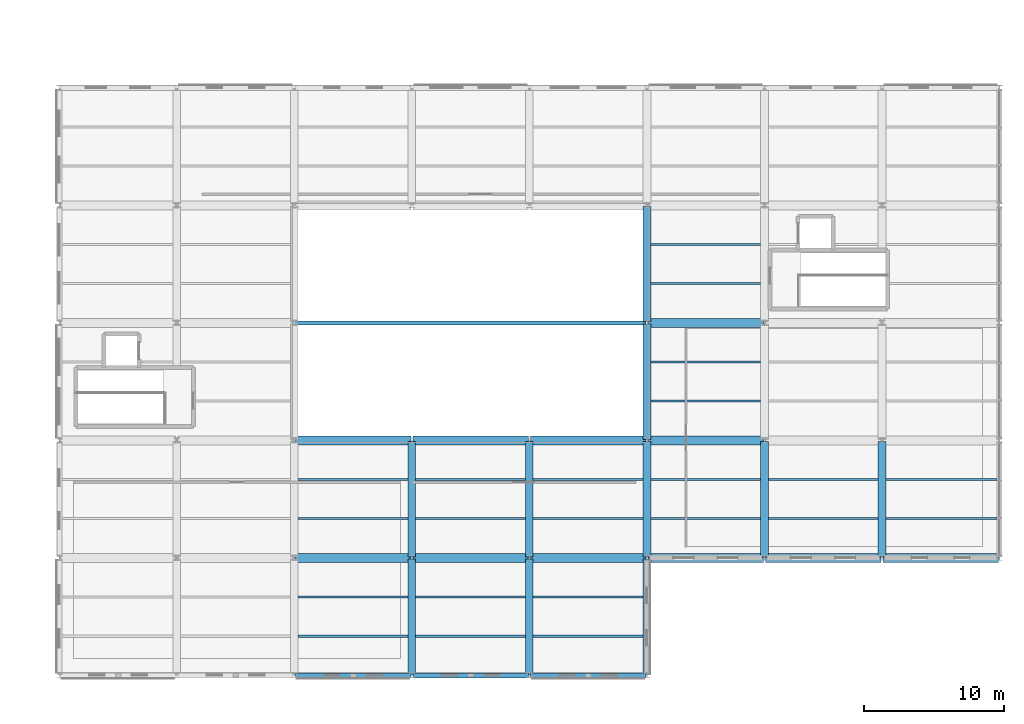
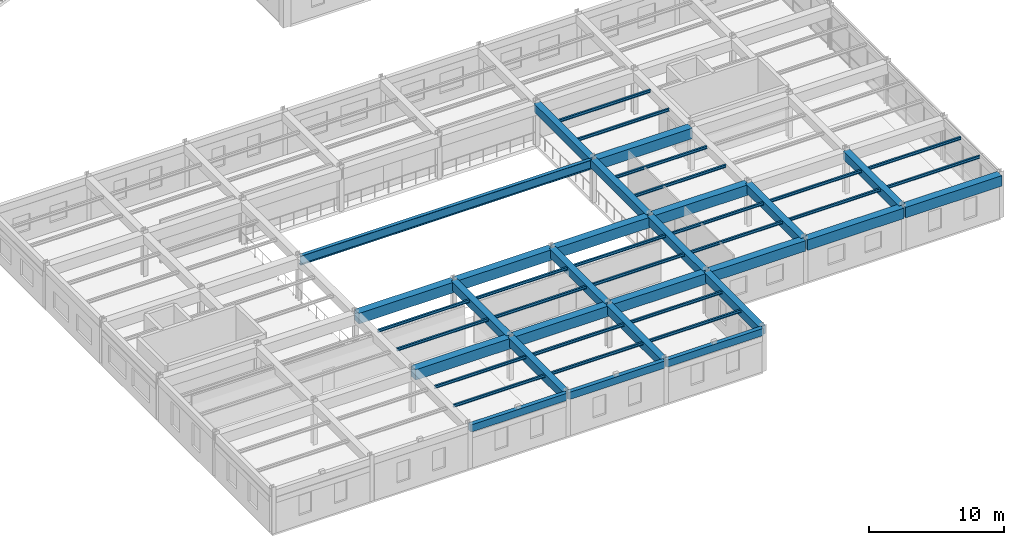
# One storey, part 77 of 138: 47 beams.
"""IFC4 building model written with IfcOpenShell, lengths in metres."""

from ifc_helpers import new_model, si_unit, direction, frame, origin, origin_2d, place, context, subcontext, project, spatial, rectangle, i_section, extrude, material, material_profile, profile_set, type_object, element, save


model = new_model("IFC4")

# Units and contexts
model_context = context("Model", 3, precision=1e-05, world=origin(), true_north=direction((0.0, 1.0)))
body_context = subcontext(model_context, "Body", "Model", "MODEL_VIEW")
ifc_project = project(units=[si_unit("LENGTHUNIT", "METRE"), si_unit("AREAUNIT", "SQUARE_METRE"), si_unit("VOLUMEUNIT", "CUBIC_METRE"), si_unit("PLANEANGLEUNIT", "RADIAN"), si_unit("MASSUNIT", "GRAM", prefix="KILO"), si_unit("THERMODYNAMICTEMPERATUREUNIT", "KELVIN"), si_unit("POWERUNIT", "WATT")], contexts=[model_context])

# Site, building, storey
site_placement = place(None, origin())
site = spatial("IfcSite", under=ifc_project, at=site_placement, CompositionType="ELEMENT")
building_placement = place(site_placement, origin())
building = spatial("IfcBuilding", under=site, at=building_placement, Name="Darbajah Civic Hall", CompositionType="ELEMENT")
storey_placement = place(building_placement, frame((0.0, 0.0, 9.60009765625)))
storey = spatial("IfcBuildingStorey", under=building, at=storey_placement, Name="L02", CompositionType="ELEMENT", Elevation=9.60009765625)

# Beams
ifc_material_1 = material(Name="Concrete C45/55", Category="concrete")
ifc_material_profile_1 = material_profile(ifc_material_1, rectangle(XDim=0.550048828125, YDim=0.75, at=origin_2d()), Name="RC BEAM 550x750")
ifc_profile_set_1 = profile_set([ifc_material_profile_1], Name="Concrete C45/55")
beam_type_1 = type_object("IfcBeamType", Name="RC BEAM 550x750", PredefinedType="BEAM", material=ifc_profile_set_1)
for number, where, z_axis, x_axis, name in (
    (1, (136.199951171875, 0.080078125, 3.544921875), (0.0, 1.0, 0.0), (-1.0, 0.0, 0.0), "L02 beam BM-5575"),
    (2, (136.199951171875, 8.47998046875, 3.544921875), (0.0, 1.0, 0.0), (-1.0, 0.0, 0.0), "L02 beam BM-5575"),
    (3, (144.60009765625, 0.080078125, 3.544921875), (0.0, 1.0, 0.0), (-1.0, 0.0, 0.0), "L02 beam BM-5575"),
    (4, (144.60009765625, 8.47998046875, 3.544921875), (0.0, 1.0, 0.0), (-1.0, 0.0, 0.0), "L02 beam BM-5575"),
    (5, (153.0, 0.080078125, 3.544921875), (0.0, 1.0, 0.0), (-1.0, 0.0, 0.0), "L02 beam BM-5575"),
    (6, (153.0, 8.47998046875, 3.544921875), (0.0, 1.0, 0.0), (-1.0, 0.0, 0.0), "L02 beam BM-5575"),
):
    element("IfcBeam", number, at=place(storey_placement, frame(where, z_axis=z_axis, x_axis=x_axis)), inside=storey, type_object=beam_type_1, Name=name, PredefinedType="BEAM", context=body_context, shape_type="SweptSolid", body=[
        extrude(rectangle(XDim=0.550048828125, YDim=0.75, at=origin_2d()), origin(), (0.0, 0.0, 1.0), 8.239990234375),
    ])
beam_1_placement = place(storey_placement, frame((153.0, 16.8798828125, 3.544921875), z_axis=(0.0, 1.0, 0.0), x_axis=(-1.0, 0.0, 0.0)))
element("IfcBeam", 7, at=beam_1_placement, inside=storey, type_object=beam_type_1, Name="L02 beam BM-5575", PredefinedType="BEAM", context=body_context, shape_type="SweptSolid", body=[
    extrude(rectangle(XDim=0.550048828125, YDim=0.75, at=origin_2d()), origin(), (0.0, 0.0, 1.0), 8.240234375),
])
for number, where, z_axis, x_axis, name in (
    (8, (153.0, 25.280029296875, 3.544921875), (0.0, 1.0, 0.0), (-1.0, 0.0, 0.0), "L02 beam BM-5575"),
    (9, (161.39990234375, 8.47998046875, 3.544921875), (0.0, 1.0, 0.0), (-1.0, 0.0, 0.0), "L02 beam BM-5575"),
    (10, (169.800048828125, 8.47998046875, 3.544921875), (0.0, 1.0, 0.0), (-1.0, 0.0, 0.0), "L02 beam BM-5575"),
):
    element("IfcBeam", number, at=place(storey_placement, frame(where, z_axis=z_axis, x_axis=x_axis)), inside=storey, type_object=beam_type_1, Name=name, PredefinedType="BEAM", context=body_context, shape_type="SweptSolid", body=[
        extrude(rectangle(XDim=0.550048828125, YDim=0.75, at=origin_2d()), origin(), (0.0, 0.0, 1.0), 8.239990234375),
    ])
ifc_material_2 = material(Name="Concrete C50/60", Category="concrete")
ifc_material_profile_2 = material_profile(ifc_material_2, rectangle(XDim=0.64990234375, YDim=0.949951171875, at=origin_2d()), Name="RC GIRDER 650x950")
ifc_profile_set_2 = profile_set([ifc_material_profile_2], Name="Concrete C50/60")
beam_type_2 = type_object("IfcBeamType", Name="RC GIRDER 650x950", PredefinedType="BEAM", material=ifc_profile_set_2)
beam_2_placement = place(storey_placement, frame((127.8798828125, 8.39990234375, 3.44482421875), z_axis=(1.0, 0.0, 0.0), x_axis=(0.0, 1.0, 0.0)))
element("IfcBeam", 11, at=beam_2_placement, inside=storey, type_object=beam_type_2, Name="L02 beam BG-6595", PredefinedType="BEAM", context=body_context, shape_type="SweptSolid", body=[
    extrude(rectangle(XDim=0.64990234375, YDim=0.949951171875, at=origin_2d()), origin(), (0.0, 0.0, 1.0), 8.240234375),
])
for number, where, z_axis, x_axis, name in (
    (12, (136.280029296875, 8.39990234375, 3.44482421875), (1.0, 0.0, 0.0), (0.0, 1.0, 0.0), "L02 beam BG-6595"),
    (13, (144.679931640625, 8.39990234375, 3.44482421875), (1.0, 0.0, 0.0), (0.0, 1.0, 0.0), "L02 beam BG-6595"),
    (14, (153.080078125, 8.39990234375, 3.44482421875), (1.0, 0.0, 0.0), (0.0, 1.0, 0.0), "L02 beam BG-6595"),
    (15, (161.47998046875, 8.39990234375, 3.44482421875), (1.0, 0.0, 0.0), (0.0, 1.0, 0.0), "L02 beam BG-6595"),
):
    element("IfcBeam", number, at=place(storey_placement, frame(where, z_axis=z_axis, x_axis=x_axis)), inside=storey, type_object=beam_type_2, Name=name, PredefinedType="BEAM", context=body_context, shape_type="SweptSolid", body=[
        extrude(rectangle(XDim=0.64990234375, YDim=0.949951171875, at=origin_2d()), origin(), (0.0, 0.0, 1.0), 8.239990234375),
    ])
for number, where, z_axis, x_axis, name in (
    (16, (169.8798828125, 8.39990234375, 3.44482421875), (1.0, 0.0, 0.0), (0.0, 1.0, 0.0), "L02 beam BG-6595"),
    (17, (127.8798828125, 16.800048828125, 3.44482421875), (1.0, 0.0, 0.0), (0.0, 1.0, 0.0), "L02 beam BG-6595"),
):
    element("IfcBeam", number, at=place(storey_placement, frame(where, z_axis=z_axis, x_axis=x_axis)), inside=storey, type_object=beam_type_2, Name=name, PredefinedType="BEAM", context=body_context, shape_type="SweptSolid", body=[
        extrude(rectangle(XDim=0.64990234375, YDim=0.949951171875, at=origin_2d()), origin(), (0.0, 0.0, 1.0), 8.240234375),
    ])
for number, where, z_axis, x_axis, name in (
    (18, (136.280029296875, 16.800048828125, 3.44482421875), (1.0, 0.0, 0.0), (0.0, 1.0, 0.0), "L02 beam BG-6595"),
    (19, (144.679931640625, 16.800048828125, 3.44482421875), (1.0, 0.0, 0.0), (0.0, 1.0, 0.0), "L02 beam BG-6595"),
    (20, (153.080078125, 16.800048828125, 3.44482421875), (1.0, 0.0, 0.0), (0.0, 1.0, 0.0), "L02 beam BG-6595"),
    (21, (153.080078125, 25.199951171875, 3.44482421875), (1.0, 0.0, 0.0), (0.0, 1.0, 0.0), "L02 beam BG-6595"),
):
    element("IfcBeam", number, at=place(storey_placement, frame(where, z_axis=z_axis, x_axis=x_axis)), inside=storey, type_object=beam_type_2, Name=name, PredefinedType="BEAM", context=body_context, shape_type="SweptSolid", body=[
        extrude(rectangle(XDim=0.64990234375, YDim=0.949951171875, at=origin_2d()), origin(), (0.0, 0.0, 1.0), 8.239990234375),
    ])
ifc_material_profile_3 = material_profile(ifc_material_1, rectangle(XDim=0.35009765625, YDim=0.64990234375, at=origin_2d()), Name="RC SPANDREL 350x650")
ifc_profile_set_3 = profile_set([ifc_material_profile_3], Name="Concrete C45/55")
beam_type_3 = type_object("IfcBeamType", Name="RC SPANDREL 350x650", PredefinedType="SPANDREL", material=ifc_profile_set_3)
beam_3_placement = place(storey_placement, frame((127.8798828125, 0.0, 3.594970703125), z_axis=(1.0, 0.0, 0.0), x_axis=(0.0, 1.0, 0.0)))
element("IfcBeam", 22, at=beam_3_placement, inside=storey, type_object=beam_type_3, Name="L02 beam SP-3565", PredefinedType="SPANDREL", context=body_context, shape_type="SweptSolid", body=[
    extrude(rectangle(XDim=0.35009765625, YDim=0.64990234375, at=origin_2d()), origin(), (0.0, 0.0, 1.0), 8.240234375),
])
for number, where, z_axis, x_axis, name in (
    (23, (136.280029296875, 0.0, 3.594970703125), (1.0, 0.0, 0.0), (0.0, 1.0, 0.0), "L02 beam SP-3565"),
    (24, (144.679931640625, 0.0, 3.594970703125), (1.0, 0.0, 0.0), (0.0, 1.0, 0.0), "L02 beam SP-3565"),
):
    element("IfcBeam", number, at=place(storey_placement, frame(where, z_axis=z_axis, x_axis=x_axis)), inside=storey, type_object=beam_type_3, Name=name, PredefinedType="SPANDREL", context=body_context, shape_type="SweptSolid", body=[
        extrude(rectangle(XDim=0.35009765625, YDim=0.64990234375, at=origin_2d()), origin(), (0.0, 0.0, 1.0), 8.239990234375),
    ])
ifc_material_3 = material(Name="Steel S355JR", Category="steel")
ifc_material_profile_4 = material_profile(ifc_material_3, i_section(OverallWidth=0.146484375, OverallDepth=0.256103515625, WebThickness=0.00634765625, FlangeThickness=0.010986328125, FilletRadius=0.007568359375, at=origin_2d()), Name="UB 254x146x37")
ifc_profile_set_4 = profile_set([ifc_material_profile_4], Name="Steel S355JR")
beam_type_4 = type_object("IfcBeamType", Name="UB 254x146x37", PredefinedType="JOIST", material=ifc_profile_set_4)
for number, where, z_axis, x_axis, name in (
    (25, (128.074951171875, 2.800048828125, 3.7919921875), (1.0, 0.0, 0.0), (0.0, 1.0, 0.0), "L02 beam SJ-254"),
    (26, (128.074951171875, 5.60009765625, 3.7919921875), (1.0, 0.0, 0.0), (0.0, 1.0, 0.0), "L02 beam SJ-254"),
    (27, (128.074951171875, 11.199951171875, 3.7919921875), (1.0, 0.0, 0.0), (0.0, 1.0, 0.0), "L02 beam SJ-254"),
    (28, (128.074951171875, 14.0, 3.7919921875), (1.0, 0.0, 0.0), (0.0, 1.0, 0.0), "L02 beam SJ-254"),
):
    element("IfcBeam", number, at=place(storey_placement, frame(where, z_axis=z_axis, x_axis=x_axis)), inside=storey, type_object=beam_type_4, Name=name, PredefinedType="JOIST", context=body_context, shape_type="SweptSolid", body=[
        extrude(i_section(OverallWidth=0.146484375, OverallDepth=0.256103515625, WebThickness=0.00634765625, FlangeThickness=0.010986328125, FilletRadius=0.007568359375, at=origin_2d()), origin(), (0.0, 0.0, 1.0), 7.85009765625),
    ])
for number, where, z_axis, x_axis, name in (
    (29, (136.47509765625, 2.800048828125, 3.7919921875), (1.0, 0.0, 0.0), (0.0, 1.0, 0.0), "L02 beam SJ-254"),
    (30, (136.47509765625, 5.60009765625, 3.7919921875), (1.0, 0.0, 0.0), (0.0, 1.0, 0.0), "L02 beam SJ-254"),
    (31, (136.47509765625, 11.199951171875, 3.7919921875), (1.0, 0.0, 0.0), (0.0, 1.0, 0.0), "L02 beam SJ-254"),
    (32, (136.47509765625, 14.0, 3.7919921875), (1.0, 0.0, 0.0), (0.0, 1.0, 0.0), "L02 beam SJ-254"),
):
    element("IfcBeam", number, at=place(storey_placement, frame(where, z_axis=z_axis, x_axis=x_axis)), inside=storey, type_object=beam_type_4, Name=name, PredefinedType="JOIST", context=body_context, shape_type="SweptSolid", body=[
        extrude(i_section(OverallWidth=0.146484375, OverallDepth=0.256103515625, WebThickness=0.00634765625, FlangeThickness=0.010986328125, FilletRadius=0.007568359375, at=origin_2d()), origin(), (0.0, 0.0, 1.0), 7.849853515625),
    ])
for number, where, z_axis, x_axis, name in (
    (33, (144.875, 2.800048828125, 3.7919921875), (1.0, 0.0, 0.0), (0.0, 1.0, 0.0), "L02 beam SJ-254"),
    (34, (144.875, 5.60009765625, 3.7919921875), (1.0, 0.0, 0.0), (0.0, 1.0, 0.0), "L02 beam SJ-254"),
    (35, (144.875, 11.199951171875, 3.7919921875), (1.0, 0.0, 0.0), (0.0, 1.0, 0.0), "L02 beam SJ-254"),
    (36, (144.875, 14.0, 3.7919921875), (1.0, 0.0, 0.0), (0.0, 1.0, 0.0), "L02 beam SJ-254"),
    (37, (153.27490234375, 11.199951171875, 3.7919921875), (1.0, 0.0, 0.0), (0.0, 1.0, 0.0), "L02 beam SJ-254"),
    (38, (153.27490234375, 14.0, 3.7919921875), (1.0, 0.0, 0.0), (0.0, 1.0, 0.0), "L02 beam SJ-254"),
    (39, (153.27490234375, 19.60009765625, 3.7919921875), (1.0, 0.0, 0.0), (0.0, 1.0, 0.0), "L02 beam SJ-254"),
    (40, (153.27490234375, 22.39990234375, 3.7919921875), (1.0, 0.0, 0.0), (0.0, 1.0, 0.0), "L02 beam SJ-254"),
    (41, (153.27490234375, 28.0, 3.7919921875), (1.0, 0.0, 0.0), (0.0, 1.0, 0.0), "L02 beam SJ-254"),
    (42, (153.27490234375, 30.800048828125, 3.7919921875), (1.0, 0.0, 0.0), (0.0, 1.0, 0.0), "L02 beam SJ-254"),
):
    element("IfcBeam", number, at=place(storey_placement, frame(where, z_axis=z_axis, x_axis=x_axis)), inside=storey, type_object=beam_type_4, Name=name, PredefinedType="JOIST", context=body_context, shape_type="SweptSolid", body=[
        extrude(i_section(OverallWidth=0.146484375, OverallDepth=0.256103515625, WebThickness=0.00634765625, FlangeThickness=0.010986328125, FilletRadius=0.007568359375, at=origin_2d()), origin(), (0.0, 0.0, 1.0), 7.85009765625),
    ])
for number, where, z_axis, x_axis, name in (
    (43, (161.675048828125, 11.199951171875, 3.7919921875), (1.0, 0.0, 0.0), (0.0, 1.0, 0.0), "L02 beam SJ-254"),
    (44, (161.675048828125, 14.0, 3.7919921875), (1.0, 0.0, 0.0), (0.0, 1.0, 0.0), "L02 beam SJ-254"),
):
    element("IfcBeam", number, at=place(storey_placement, frame(where, z_axis=z_axis, x_axis=x_axis)), inside=storey, type_object=beam_type_4, Name=name, PredefinedType="JOIST", context=body_context, shape_type="SweptSolid", body=[
        extrude(i_section(OverallWidth=0.146484375, OverallDepth=0.256103515625, WebThickness=0.00634765625, FlangeThickness=0.010986328125, FilletRadius=0.007568359375, at=origin_2d()), origin(), (0.0, 0.0, 1.0), 7.849853515625),
    ])
for number, where, z_axis, x_axis, name in (
    (45, (170.074951171875, 11.199951171875, 3.7919921875), (1.0, 0.0, 0.0), (0.0, 1.0, 0.0), "L02 beam SJ-254"),
    (46, (170.074951171875, 14.0, 3.7919921875), (1.0, 0.0, 0.0), (0.0, 1.0, 0.0), "L02 beam SJ-254"),
):
    element("IfcBeam", number, at=place(storey_placement, frame(where, z_axis=z_axis, x_axis=x_axis)), inside=storey, type_object=beam_type_4, Name=name, PredefinedType="JOIST", context=body_context, shape_type="SweptSolid", body=[
        extrude(i_section(OverallWidth=0.146484375, OverallDepth=0.256103515625, WebThickness=0.00634765625, FlangeThickness=0.010986328125, FilletRadius=0.007568359375, at=origin_2d()), origin(), (0.0, 0.0, 1.0), 7.949951171875),
    ])
ifc_material_profile_5 = material_profile(ifc_material_3, i_section(OverallWidth=0.29248046875, OverallDepth=0.8408203125, WebThickness=0.0146484375, FlangeThickness=0.021728515625, FilletRadius=0.017822265625, at=origin_2d()), Name="UB 838x292x194")
ifc_profile_set_5 = profile_set([ifc_material_profile_5], Name="Steel S355JR")
beam_type_5 = type_object("IfcBeamType", Name="UB 838x292x194", PredefinedType="BEAM", material=ifc_profile_set_5)
beam_4_placement = place(storey_placement, frame((127.8798828125, 25.199951171875, 3.49951171875), z_axis=(1.0, 0.0, 0.0), x_axis=(0.0, 1.0, 0.0)))
element("IfcBeam", 47, at=beam_4_placement, inside=storey, type_object=beam_type_5, Name="L02 beam SB-838", PredefinedType="BEAM", context=body_context, shape_type="SweptSolid", body=[
    extrude(i_section(OverallWidth=0.29248046875, OverallDepth=0.8408203125, WebThickness=0.0146484375, FlangeThickness=0.021728515625, FilletRadius=0.017822265625, at=origin_2d()), origin(), (0.0, 0.0, 1.0), 25.0400390625),
])

save(model, "model.ifc")
